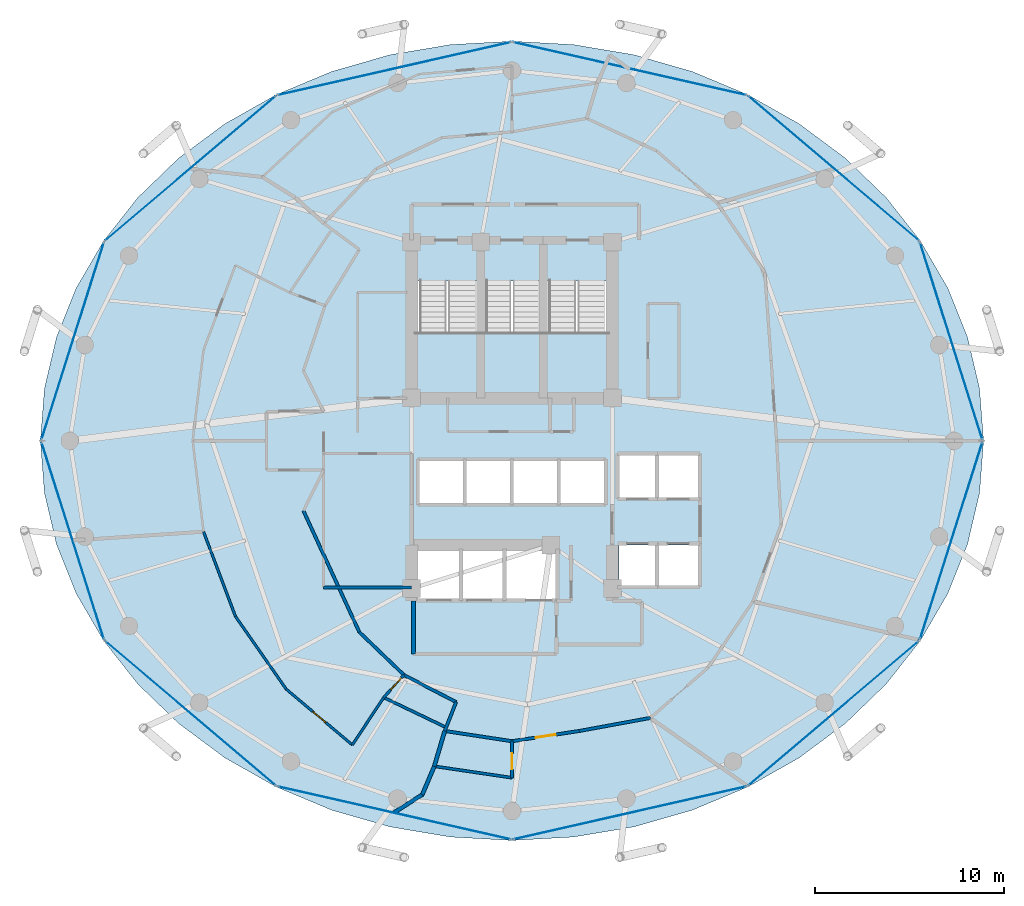
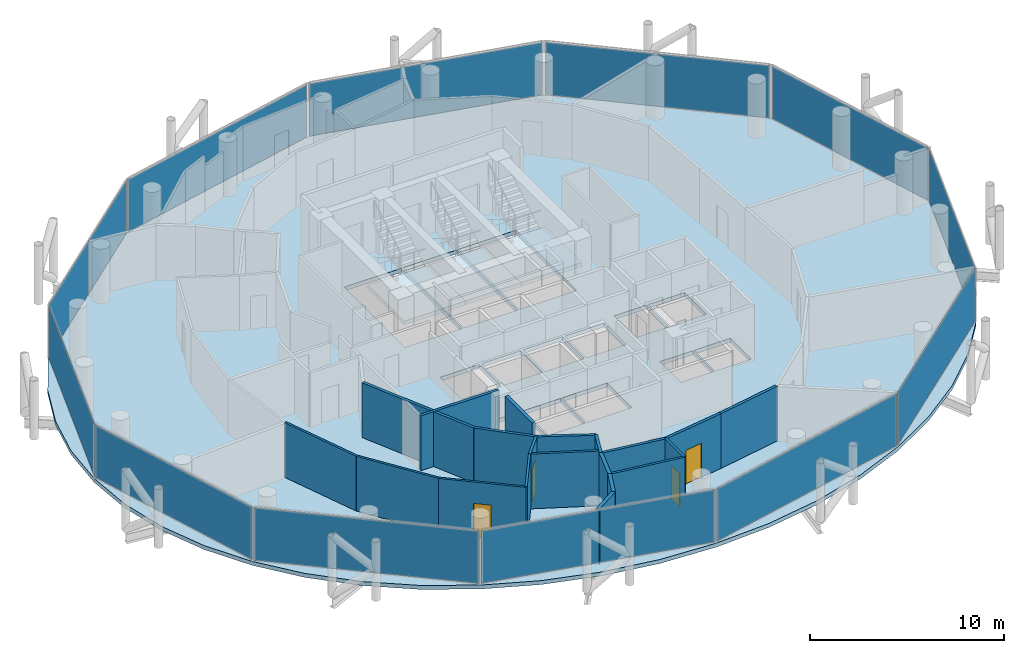
# One storey, part 21 of 27: 20 walls, 12 plates, 4 doors, 4 slabs, 4 openings, 15 elements without a shape of their own.
"""IFC4 building model written with IfcOpenShell, lengths in metres."""

from ifc_helpers import new_model, si_unit, direction, frame, frame_2d, origin, origin_2d, place, context, subcontext, project, spatial, polyline, rectangle, outline, extrude, material, layer, layer_set, type_object, element, fill, aggregate, save


model = new_model("IFC4")

# Units and contexts
model_context = context("Model", 3, precision=1e-05, world=origin(), true_north=direction((0.0, 1.0)))
body_context = subcontext(model_context, "Body", "Model", "MODEL_VIEW")
ifc_project = project(units=[si_unit("LENGTHUNIT", "METRE"), si_unit("AREAUNIT", "SQUARE_METRE"), si_unit("VOLUMEUNIT", "CUBIC_METRE"), si_unit("PLANEANGLEUNIT", "RADIAN"), si_unit("MASSUNIT", "GRAM", prefix="KILO")], contexts=[model_context])

# Site, building, storey
site_placement = place(None, origin())
site = spatial("IfcSite", under=ifc_project, at=site_placement, CompositionType="ELEMENT")
building_placement = place(site_placement, origin())
building = spatial("IfcBuilding", under=site, at=building_placement, Name="Nuhasar Tower", CompositionType="ELEMENT")
storey_placement = place(building_placement, frame((0.0, 0.0, 158.949951171875)))
storey = spatial("IfcBuildingStorey", under=building, at=storey_placement, Name="L38", CompositionType="ELEMENT", Elevation=158.949951171875)

# Curtain wall, plate
ifc_material_1 = material(Name="Aluminium 6063-T6", Category="aluminium")
ifc_layer_1 = layer(ifc_material_1, 0.199951171875)
ifc_layer_set_1 = layer_set([ifc_layer_1], Name="Aluminium 6063-T6")
curtain_wall_type = type_object("IfcCurtainWallType", Name="CW-Z2-HTL", PredefinedType="NOTDEFINED", material=ifc_layer_set_1)
curtain_wall_1_placement = place(storey_placement, origin())
curtain_wall_1 = element("IfcCurtainWall", 1, at=curtain_wall_1_placement, inside=storey, type_object=curtain_wall_type, Name="L38 Unitised Curtain Wall 01", PredefinedType="NOTDEFINED")
ifc_material_2 = material(Name="Glass Double Low-E", Category="glass")
ifc_layer_2 = layer(ifc_material_2, 0.028076171875)
ifc_layer_set_2 = layer_set([ifc_layer_2], Name="Glass Double Low-E")
plate_type = type_object("IfcPlateType", Name="CW-PANEL-GLZ", PredefinedType="CURTAIN_PANEL", material=ifc_layer_set_2)
plate_1_placement = place(storey_placement, frame((62.194580078125, 32.06494140625, 0.070068359375), z_axis=(0.0, 0.0, 1.0), x_axis=(-0.301603667577, 0.953433389233, 0.0)))
plate_1 = element("IfcPlate", 2, at=plate_1_placement, type_object=plate_type, Name="CW-Z2 panel 1.1", PredefinedType="CURTAIN_PANEL", context=body_context, shape_type="SweptSolid", body=[
    extrude(rectangle(XDim=10.904296875, YDim=0.028076171875, at=origin_2d()), origin(), (0.0, 0.0, 1.0), 3.31005859375),
])
aggregate(curtain_wall_1, [plate_1])

curtain_wall_2_placement = place(storey_placement, origin())
curtain_wall_2 = element("IfcCurtainWall", 3, at=curtain_wall_2_placement, inside=storey, type_object=curtain_wall_type, Name="L38 Unitised Curtain Wall 02", PredefinedType="NOTDEFINED")
plate_2_placement = place(storey_placement, frame((55.9794921875, 41.18408203125, 0.070068359375), z_axis=(0.0, 0.0, 1.0), x_axis=(-0.763020370292, 0.646374438324, 0.0)))
plate_2 = element("IfcPlate", 4, at=plate_2_placement, type_object=plate_type, Name="CW-Z2 panel 1.1", PredefinedType="CURTAIN_PANEL", context=body_context, shape_type="SweptSolid", body=[
    extrude(rectangle(XDim=11.784912109375, YDim=0.028076171875, at=origin_2d()), origin(), (0.0, 0.0, 1.0), 3.31005859375),
])
aggregate(curtain_wall_2, [plate_2])

curtain_wall_3_placement = place(storey_placement, origin())
curtain_wall_3 = element("IfcCurtainWall", 5, at=curtain_wall_3_placement, inside=storey, type_object=curtain_wall_type, Name="L38 Unitised Curtain Wall 03", PredefinedType="NOTDEFINED")
plate_3_placement = place(storey_placement, frame((45.215087890625, 46.448974609375, 0.070068359375), z_axis=(0.0, 0.0, 1.0), x_axis=(-0.975183694221, 0.22139729566, 0.0)))
plate_3 = element("IfcPlate", 6, at=plate_3_placement, type_object=plate_type, Name="CW-Z2 panel 1.1", PredefinedType="CURTAIN_PANEL", context=body_context, shape_type="SweptSolid", body=[
    extrude(rectangle(XDim=12.606201171875, YDim=0.028076171875, at=origin_2d()), origin(), (0.0, 0.0, 1.0), 3.31005859375),
])
aggregate(curtain_wall_3, [plate_3])

curtain_wall_4_placement = place(storey_placement, origin())
curtain_wall_4 = element("IfcCurtainWall", 7, at=curtain_wall_4_placement, inside=storey, type_object=curtain_wall_type, Name="L38 Unitised Curtain Wall 04", PredefinedType="NOTDEFINED")
plate_4_placement = place(storey_placement, frame((32.784912109375, 46.448974609375, 0.070068359375), z_axis=(0.0, 0.0, 1.0), x_axis=(-0.975183694221, -0.22139729566, 0.0)))
plate_4 = element("IfcPlate", 8, at=plate_4_placement, type_object=plate_type, Name="CW-Z2 panel 1.1", PredefinedType="CURTAIN_PANEL", context=body_context, shape_type="SweptSolid", body=[
    extrude(rectangle(XDim=12.606201171875, YDim=0.028076171875, at=origin_2d()), origin(), (0.0, 0.0, 1.0), 3.31005859375),
])
aggregate(curtain_wall_4, [plate_4])

curtain_wall_5_placement = place(storey_placement, origin())
curtain_wall_5 = element("IfcCurtainWall", 9, at=curtain_wall_5_placement, inside=storey, type_object=curtain_wall_type, Name="L38 Unitised Curtain Wall 05", PredefinedType="NOTDEFINED")
plate_5_placement = place(storey_placement, frame((22.0205078125, 41.18408203125, 0.070068359375), z_axis=(0.0, 0.0, 1.0), x_axis=(-0.763020370292, -0.646374438324, 0.0)))
plate_5 = element("IfcPlate", 10, at=plate_5_placement, type_object=plate_type, Name="CW-Z2 panel 1.1", PredefinedType="CURTAIN_PANEL", context=body_context, shape_type="SweptSolid", body=[
    extrude(rectangle(XDim=11.784912109375, YDim=0.028076171875, at=origin_2d()), origin(), (0.0, 0.0, 1.0), 3.31005859375),
])
aggregate(curtain_wall_5, [plate_5])

curtain_wall_6_placement = place(storey_placement, origin())
curtain_wall_6 = element("IfcCurtainWall", 11, at=curtain_wall_6_placement, inside=storey, type_object=curtain_wall_type, Name="L38 Unitised Curtain Wall 06", PredefinedType="NOTDEFINED")
plate_6_placement = place(storey_placement, frame((15.805419921875, 32.06494140625, 0.070068359375), z_axis=(0.0, 0.0, 1.0), x_axis=(-0.301603667577, -0.953433389233, 0.0)))
plate_6 = element("IfcPlate", 12, at=plate_6_placement, type_object=plate_type, Name="CW-Z2 panel 1.1", PredefinedType="CURTAIN_PANEL", context=body_context, shape_type="SweptSolid", body=[
    extrude(rectangle(XDim=10.904296875, YDim=0.028076171875, at=origin_2d()), origin(), (0.0, 0.0, 1.0), 3.31005859375),
])
aggregate(curtain_wall_6, [plate_6])

curtain_wall_7_placement = place(storey_placement, origin())
curtain_wall_7 = element("IfcCurtainWall", 13, at=curtain_wall_7_placement, inside=storey, type_object=curtain_wall_type, Name="L38 Unitised Curtain Wall 07", PredefinedType="NOTDEFINED")
plate_7_placement = place(storey_placement, frame((15.805419921875, 21.534912109375, 0.070068359375), z_axis=(0.0, 0.0, 1.0), x_axis=(0.301603667577, -0.953433389233, 0.0)))
plate_7 = element("IfcPlate", 14, at=plate_7_placement, type_object=plate_type, Name="CW-Z2 panel 1.1", PredefinedType="CURTAIN_PANEL", context=body_context, shape_type="SweptSolid", body=[
    extrude(rectangle(XDim=10.904296875, YDim=0.028076171875, at=origin_2d()), origin(), (0.0, 0.0, 1.0), 3.31005859375),
])
aggregate(curtain_wall_7, [plate_7])

curtain_wall_8_placement = place(storey_placement, origin())
curtain_wall_8 = element("IfcCurtainWall", 15, at=curtain_wall_8_placement, inside=storey, type_object=curtain_wall_type, Name="L38 Unitised Curtain Wall 08", PredefinedType="NOTDEFINED")
plate_8_placement = place(storey_placement, frame((22.0205078125, 12.416015625, 0.070068359375), z_axis=(0.0, 0.0, 1.0), x_axis=(0.763020370292, -0.646374438324, 0.0)))
plate_8 = element("IfcPlate", 16, at=plate_8_placement, type_object=plate_type, Name="CW-Z2 panel 1.1", PredefinedType="CURTAIN_PANEL", context=body_context, shape_type="SweptSolid", body=[
    extrude(rectangle(XDim=11.784912109375, YDim=0.028076171875, at=origin_2d()), origin(), (0.0, 0.0, 1.0), 3.31005859375),
])
aggregate(curtain_wall_8, [plate_8])

curtain_wall_9_placement = place(storey_placement, origin())
curtain_wall_9 = element("IfcCurtainWall", 17, at=curtain_wall_9_placement, inside=storey, type_object=curtain_wall_type, Name="L38 Unitised Curtain Wall 09", PredefinedType="NOTDEFINED")
plate_9_placement = place(storey_placement, frame((32.784912109375, 7.15087890625, 0.070068359375), z_axis=(0.0, 0.0, 1.0), x_axis=(0.975183694221, -0.22139729566, 0.0)))
plate_9 = element("IfcPlate", 18, at=plate_9_placement, type_object=plate_type, Name="CW-Z2 panel 1.1", PredefinedType="CURTAIN_PANEL", context=body_context, shape_type="SweptSolid", body=[
    extrude(rectangle(XDim=12.606201171875, YDim=0.028076171875, at=origin_2d()), origin(), (0.0, 0.0, 1.0), 3.31005859375),
])
aggregate(curtain_wall_9, [plate_9])

curtain_wall_10_placement = place(storey_placement, origin())
curtain_wall_10 = element("IfcCurtainWall", 19, at=curtain_wall_10_placement, inside=storey, type_object=curtain_wall_type, Name="L38 Unitised Curtain Wall 10", PredefinedType="NOTDEFINED")
plate_10_placement = place(storey_placement, frame((45.215087890625, 7.15087890625, 0.070068359375), z_axis=(0.0, 0.0, 1.0), x_axis=(0.975183694221, 0.22139729566, 0.0)))
plate_10 = element("IfcPlate", 20, at=plate_10_placement, type_object=plate_type, Name="CW-Z2 panel 1.1", PredefinedType="CURTAIN_PANEL", context=body_context, shape_type="SweptSolid", body=[
    extrude(rectangle(XDim=12.606201171875, YDim=0.028076171875, at=origin_2d()), origin(), (0.0, 0.0, 1.0), 3.31005859375),
])
aggregate(curtain_wall_10, [plate_10])

curtain_wall_11_placement = place(storey_placement, origin())
curtain_wall_11 = element("IfcCurtainWall", 21, at=curtain_wall_11_placement, inside=storey, type_object=curtain_wall_type, Name="L38 Unitised Curtain Wall 11", PredefinedType="NOTDEFINED")
plate_11_placement = place(storey_placement, frame((55.9794921875, 12.416015625, 0.070068359375), z_axis=(0.0, 0.0, 1.0), x_axis=(0.763020370292, 0.646374438324, 0.0)))
plate_11 = element("IfcPlate", 22, at=plate_11_placement, type_object=plate_type, Name="CW-Z2 panel 1.1", PredefinedType="CURTAIN_PANEL", context=body_context, shape_type="SweptSolid", body=[
    extrude(rectangle(XDim=11.784912109375, YDim=0.028076171875, at=origin_2d()), origin(), (0.0, 0.0, 1.0), 3.31005859375),
])
aggregate(curtain_wall_11, [plate_11])

curtain_wall_12_placement = place(storey_placement, origin())
curtain_wall_12 = element("IfcCurtainWall", 23, at=curtain_wall_12_placement, inside=storey, type_object=curtain_wall_type, Name="L38 Unitised Curtain Wall 12", PredefinedType="NOTDEFINED")
plate_12_placement = place(storey_placement, frame((62.194580078125, 21.534912109375, 0.070068359375), z_axis=(0.0, 0.0, 1.0), x_axis=(0.301603667577, 0.953433389233, 0.0)))
plate_12 = element("IfcPlate", 24, at=plate_12_placement, type_object=plate_type, Name="CW-Z2 panel 1.1", PredefinedType="CURTAIN_PANEL", context=body_context, shape_type="SweptSolid", body=[
    extrude(rectangle(XDim=10.904296875, YDim=0.028076171875, at=origin_2d()), origin(), (0.0, 0.0, 1.0), 3.31005859375),
])
aggregate(curtain_wall_12, [plate_12])

# Stair, slab
ifc_material_3 = material(Name="Concrete C45/55", Category="concrete")
stair_type_1 = type_object("IfcStairType", Name="STR-ST-01-2F-22R-1682", PredefinedType="HALF_TURN_STAIR", material=ifc_material_3)
stair_1_placement = place(storey_placement, origin())
stair_1 = element("IfcStair", 25, at=stair_1_placement, inside=storey, type_object=stair_type_1, Name="L38 Exit Stair ST-01", PredefinedType="HALF_TURN_STAIR")
ifc_layer_3 = layer(ifc_material_3, 0.239990234375)
ifc_layer_set_3 = layer_set([ifc_layer_3], Name="Concrete C45/55")
slab_type_1 = type_object("IfcSlabType", Name="SLB-STAIR-LND-240", PredefinedType="LANDING", material=ifc_layer_set_3)
slab_1_placement = place(storey_placement, frame((0.0, 0.0, 1.610107421875)))
slab_1 = element("IfcSlab", 26, at=slab_1_placement, type_object=slab_type_1, Name="ST-01 landing 1", PredefinedType="LANDING", context=body_context, shape_type="SweptSolid", body=[
    extrude(outline(polyline([(33.699951171875, 28.75), (37.35009765625, 28.75), (37.35009765625, 32.52001953125), (33.699951171875, 32.52001953125), (33.699951171875, 28.75)])), origin(), (0.0, 0.0, 1.0), 0.239990234375),
])
aggregate(stair_1, [slab_1])

stair_type_2 = type_object("IfcStairType", Name="STR-ST-03-2F-22R-1682", PredefinedType="HALF_TURN_STAIR", material=ifc_material_3)
stair_2_placement = place(storey_placement, origin())
stair_2 = element("IfcStair", 27, at=stair_2_placement, inside=storey, type_object=stair_type_2, Name="L38 Exit Stair ST-03", PredefinedType="HALF_TURN_STAIR")
slab_2_placement = place(storey_placement, frame((0.0, 0.0, 1.610107421875)))
slab_2 = element("IfcSlab", 28, at=slab_2_placement, type_object=slab_type_1, Name="ST-03 landing 1", PredefinedType="LANDING", context=body_context, shape_type="SweptSolid", body=[
    extrude(outline(polyline([(37.35009765625, 28.75), (40.64990234375, 28.75), (40.64990234375, 32.52001953125), (37.35009765625, 32.52001953125), (37.35009765625, 28.75)])), origin(), (0.0, 0.0, 1.0), 0.239990234375),
])
aggregate(stair_2, [slab_2])

stair_type_3 = type_object("IfcStairType", Name="STR-ST-02-2F-22R-1682", PredefinedType="HALF_TURN_STAIR", material=ifc_material_3)
stair_3_placement = place(storey_placement, origin())
stair_3 = element("IfcStair", 29, at=stair_3_placement, inside=storey, type_object=stair_type_3, Name="L38 Exit Stair ST-02", PredefinedType="HALF_TURN_STAIR")
slab_3_placement = place(storey_placement, frame((0.0, 0.0, 1.610107421875)))
slab_3 = element("IfcSlab", 30, at=slab_3_placement, type_object=slab_type_1, Name="ST-02 landing 1", PredefinedType="LANDING", context=body_context, shape_type="SweptSolid", body=[
    extrude(outline(polyline([(40.64990234375, 28.75), (44.300048828125, 28.75), (44.300048828125, 32.52001953125), (40.64990234375, 32.52001953125), (40.64990234375, 28.75)])), origin(), (0.0, 0.0, 1.0), 0.239990234375),
])
aggregate(stair_3, [slab_3])

# Slab
ifc_layer_4 = layer(ifc_material_3, 0.25)
ifc_layer_set_4 = layer_set([ifc_layer_4], Name="Concrete C45/55")
slab_type_2 = type_object("IfcSlabType", Name="SLB-Z1B-250", PredefinedType="FLOOR", material=ifc_layer_set_4)
slab_4_placement = place(storey_placement, frame((0.0, 0.0, -0.25)))
element("IfcSlab", 31, at=slab_4_placement, inside=storey, type_object=slab_type_2, Name="L38 Structural Slab", PredefinedType="FLOOR", context=body_context, shape_type="SweptSolid", body=[
    extrude(outline(polyline([(63.89990234375, 26.800048828125), (63.68701171875, 29.553955078125), (63.052001953125, 32.260986328125), (62.0048828125, 34.875), (60.56396484375, 37.35009765625), (58.75390625, 39.64501953125), (56.60693359375, 41.719970703125), (54.157958984375, 43.5400390625), (51.449951171875, 45.072998046875), (48.529052734375, 46.2939453125), (45.445068359375, 47.180908203125), (42.25, 47.718994140625), (39.0, 47.89990234375), (35.75, 47.718994140625), (32.554931640625, 47.180908203125), (29.470947265625, 46.2939453125), (26.550048828125, 45.072998046875), (23.842041015625, 43.5400390625), (21.39306640625, 41.719970703125), (19.24609375, 39.64501953125), (17.43603515625, 37.35009765625), (15.9951171875, 34.875), (14.947998046875, 32.260986328125), (14.31298828125, 29.553955078125), (14.10009765625, 26.800048828125), (14.31298828125, 24.0458984375), (14.947998046875, 21.339111328125), (15.9951171875, 18.72509765625), (17.43603515625, 16.25), (19.24609375, 13.955078125), (21.39306640625, 11.8798828125), (23.842041015625, 10.06005859375), (26.550048828125, 8.527099609375), (29.470947265625, 7.305908203125), (32.554931640625, 6.4189453125), (35.75, 5.881103515625), (39.0, 5.699951171875), (42.25, 5.881103515625), (45.445068359375, 6.4189453125), (48.529052734375, 7.305908203125), (51.449951171875, 8.527099609375), (54.157958984375, 10.06005859375), (56.60693359375, 11.8798828125), (58.75390625, 13.955078125), (60.56396484375, 16.25), (62.0048828125, 18.72509765625), (63.052001953125, 21.339111328125), (63.68701171875, 24.0458984375), (63.89990234375, 26.800048828125)]), holes=[polyline([(33.8798828125, 35.25), (37.300048828125, 35.25), (37.300048828125, 29.0), (33.8798828125, 29.0), (33.8798828125, 35.25)]), polyline([(37.39990234375, 35.25), (40.60009765625, 35.25), (40.60009765625, 29.0), (37.39990234375, 29.0), (37.39990234375, 35.25)]), polyline([(40.699951171875, 35.25), (44.1201171875, 35.25), (44.1201171875, 29.0), (40.699951171875, 29.0), (40.699951171875, 35.25)]), polyline([(44.64990234375, 26.050048828125), (46.60009765625, 26.050048828125), (46.60009765625, 23.800048828125), (44.64990234375, 23.800048828125), (44.64990234375, 26.050048828125)]), polyline([(46.699951171875, 26.050048828125), (48.85009765625, 26.050048828125), (48.85009765625, 23.800048828125), (46.699951171875, 23.800048828125), (46.699951171875, 26.050048828125)]), polyline([(44.64990234375, 21.300048828125), (46.60009765625, 21.300048828125), (46.60009765625, 19.14990234375), (44.64990234375, 19.14990234375), (44.64990234375, 21.300048828125)]), polyline([(46.699951171875, 21.300048828125), (48.85009765625, 21.300048828125), (48.85009765625, 19.14990234375), (46.699951171875, 19.14990234375), (46.699951171875, 21.300048828125)]), polyline([(34.10009765625, 25.75), (36.43994140625, 25.75), (36.43994140625, 23.5), (34.10009765625, 23.5), (34.10009765625, 25.75)]), polyline([(36.580078125, 25.75), (38.919921875, 25.75), (38.919921875, 23.5), (36.580078125, 23.5), (36.580078125, 25.75)]), polyline([(39.06005859375, 25.75), (41.39990234375, 25.75), (41.39990234375, 23.5), (39.06005859375, 23.5), (39.06005859375, 25.75)]), polyline([(41.5400390625, 25.75), (43.8798828125, 25.75), (43.8798828125, 23.5), (41.5400390625, 23.5), (41.5400390625, 25.75)]), polyline([(34.050048828125, 21.0), (36.25, 21.0), (36.25, 18.449951171875), (34.050048828125, 18.449951171875), (34.050048828125, 21.0)]), polyline([(36.35009765625, 21.0), (38.550048828125, 21.0), (38.550048828125, 18.449951171875), (36.35009765625, 18.449951171875), (36.35009765625, 21.0)]), polyline([(38.64990234375, 21.0), (41.320068359375, 21.0), (41.320068359375, 18.449951171875), (38.64990234375, 18.449951171875), (38.64990234375, 21.0)])]), origin(), (0.0, 0.0, 1.0), 0.25),
])

# Walls
ifc_material_4 = material(Name="Gypsum Board", Category="gypsum")
ifc_layer_5 = layer(ifc_material_4, 0.159912109375)
ifc_layer_set_5 = layer_set([ifc_layer_5], Name="Gypsum Board")
wall_type_1 = type_object("IfcWallType", Name="WL-CORR-160", PredefinedType="PARTITIONING", material=ifc_layer_set_5)
wall_1_placement = place(storey_placement, frame((29.050048828125, 19.050048828125, 0.0), z_axis=(0.0, 0.0, 1.0), x_axis=(1.0, 0.0, 0.0)))
element("IfcWall", 32, at=wall_1_placement, inside=storey, type_object=wall_type_1, Name="L38 Interior Partition RECL-B1-S", PredefinedType="PARTITIONING", context=body_context, shape_type="SweptSolid", body=[
    extrude(rectangle(XDim=4.64990234375, YDim=0.159912109375, at=frame_2d((2.324951171875, 0.0))), origin(), (0.0, 0.0, 1.0), 3.449951171875),
])
wall_2_placement = place(storey_placement, frame((35.448974609375, 11.47998046875, 0.0), z_axis=(0.0, 0.0, 1.0), x_axis=(0.988632678439, -0.150351013043, 0.0)))
element("IfcWall", 33, at=wall_2_placement, inside=storey, type_object=wall_type_1, Name="L38 Interior Partition CORR-34", PredefinedType="PARTITIONING", context=body_context, shape_type="SweptSolid", body=[
    extrude(rectangle(XDim=3.591796875, YDim=0.159912109375, at=frame_2d((1.7958984375, 0.0))), origin(), (0.0, 0.0, 1.0), 3.449951171875),
])

# Wall, opening, door
wall_3_placement = place(storey_placement, frame((42.551025390625, 11.47998046875, 0.0), z_axis=(0.0, 0.0, 1.0), x_axis=(-0.988632678439, -0.150351013043, 0.0)))
wall_3 = element("IfcWall", 34, at=wall_3_placement, inside=storey, type_object=wall_type_1, Name="L38 Interior Partition CORR-36", PredefinedType="PARTITIONING", context=body_context, shape_type="SweptSolid", body=[
    extrude(rectangle(XDim=3.591796875, YDim=0.159912109375, at=frame_2d((1.7958984375, 0.0))), origin(), (0.0, 0.0, 1.0), 3.449951171875),
])
opening_1_placement = place(wall_3_placement, frame((1.27099609375, 0.0, 0.0)))
opening_1 = element("IfcOpeningElement", 35, at=opening_1_placement, cuts=wall_3, Name="Opening DU-01", PredefinedType="OPENING", context=body_context, shape_type="SweptSolid", body=[
    extrude(rectangle(XDim=1.050048828125, YDim=2.14990234375, at=frame_2d((0.52490234375, 1.074951171875))), frame((0.0, 0.08984375, 0.0), z_axis=(0.0, -1.0, 0.0), x_axis=(1.0, 0.0, 0.0)), (0.0, 0.0, 1.0), 0.179931640625),
])
ifc_material_5 = material(Name="Timber Oak", Category="wood")
door_type_1 = type_object("IfcDoorType", Name="DR-SUITE-FD60-1050", OperationType="NOTDEFINED", PredefinedType="DOOR", material=ifc_material_5)
door_1_placement = place(opening_1_placement, origin())
door_1 = element("IfcDoor", 36, at=door_1_placement, inside=storey, type_object=door_type_1, Name="L38 Thermal Sanctuary Suite 01 Entrance Door", OperationType="SINGLE_SWING_LEFT", OverallHeight=2.14990234375, OverallWidth=1.050048828125, PredefinedType="DOOR", context=body_context, shape_type="SweptSolid", body=[
    extrude(rectangle(XDim=1.050048828125, YDim=2.14990234375, at=frame_2d((0.52490234375, 1.074951171875))), frame((0.0, 0.02490234375, 0.0), z_axis=(0.0, -1.0, 0.0), x_axis=(1.0, 0.0, 0.0)), (0.0, 0.0, 1.0), 0.050048828125),
])
fill(opening_1, door_1)

# Walls
wall_4_placement = place(storey_placement, frame((42.551025390625, 11.47998046875, 0.0), z_axis=(0.0, 0.0, 1.0), x_axis=(0.983542993076, 0.180674239368, 0.0)))
element("IfcWall", 37, at=wall_4_placement, inside=storey, type_object=wall_type_1, Name="L38 Interior Partition CORR-38", PredefinedType="PARTITIONING", context=body_context, shape_type="SweptSolid", body=[
    extrude(rectangle(XDim=3.818603515625, YDim=0.159912109375, at=frame_2d((1.9091796875, 0.0))), origin(), (0.0, 0.0, 1.0), 3.449951171875),
])
wall_5_placement = place(storey_placement, frame((36.049072265625, 13.007080078125, 0.0), z_axis=(0.0, 0.0, 1.0), x_axis=(-0.365739839664, -0.930717126566, 0.0)))
element("IfcWall", 38, at=wall_5_placement, inside=storey, type_object=wall_type_1, Name="L38 Interior Partition HRAD-34-IN", PredefinedType="PARTITIONING", context=body_context, shape_type="SweptSolid", body=[
    extrude(rectangle(XDim=1.640869140625, YDim=0.159912109375, at=frame_2d((0.8203125, 0.0))), origin(), (0.0, 0.0, 1.0), 3.449951171875),
])
wall_6_placement = place(storey_placement, frame((27.988037109375, 23.10400390625, 0.0), z_axis=(0.0, 0.0, 1.0), x_axis=(0.418656179426, -0.908144814128, 0.0)))
element("IfcWall", 39, at=wall_6_placement, inside=storey, type_object=wall_type_1, Name="L38 Interior Partition HWEST-CORE-S1-26", PredefinedType="PARTITIONING", context=body_context, shape_type="SweptSolid", body=[
    extrude(rectangle(XDim=7.048583984375, YDim=0.159912109375, at=frame_2d((3.5244140625, 0.0))), origin(), (0.0, 0.0, 1.0), 3.449951171875),
])
wall_7_placement = place(storey_placement, frame((30.93896484375, 16.702880859375, 0.0), z_axis=(0.0, 0.0, 1.0), x_axis=(0.72090897908, -0.693029756851, 0.0)))
element("IfcWall", 40, at=wall_7_placement, inside=storey, type_object=wall_type_1, Name="L38 Interior Partition HWEST-CORE-S2-30", PredefinedType="PARTITIONING", context=body_context, shape_type="SweptSolid", body=[
    extrude(rectangle(XDim=3.275146484375, YDim=0.159912109375, at=frame_2d((1.6376953125, 0.0))), origin(), (0.0, 0.0, 1.0), 3.449951171875),
])
wall_8_placement = place(storey_placement, frame((33.300048828125, 14.43310546875, 0.0), z_axis=(0.0, 0.0, 1.0), x_axis=(0.887674575788, -0.460471331898, 0.0)))
element("IfcWall", 41, at=wall_8_placement, inside=storey, type_object=wall_type_1, Name="L38 Interior Partition HWEST-CORE-S2-32", PredefinedType="PARTITIONING", context=body_context, shape_type="SweptSolid", body=[
    extrude(rectangle(XDim=3.096923828125, YDim=0.159912109375, at=frame_2d((1.54833984375, 0.0))), origin(), (0.0, 0.0, 1.0), 3.449951171875),
])
ifc_layer_6 = layer(ifc_material_3, 0.199951171875)
ifc_layer_set_6 = layer_set([ifc_layer_6], Name="Concrete C45/55")
wall_type_2 = type_object("IfcWallType", Name="WL-LOBBY-200", PredefinedType="SOLIDWALL", material=ifc_layer_set_6)
wall_9_placement = place(storey_placement, frame((33.800048828125, 15.550048828125, 0.0), z_axis=(0.0, 0.0, 1.0), x_axis=(0.0, 1.0, 0.0)))
element("IfcWall", 42, at=wall_9_placement, inside=storey, type_object=wall_type_2, Name="L38 Interior Partition FFL-W", PredefinedType="SOLIDWALL", context=body_context, shape_type="SweptSolid", body=[
    extrude(rectangle(XDim=2.800048828125, YDim=0.199951171875, at=frame_2d((1.39990234375, 0.0))), origin(), (0.0, 0.0, 1.0), 3.449951171875),
])
ifc_layer_7 = layer(ifc_material_4, 0.125)
ifc_layer_set_7 = layer_set([ifc_layer_7], Name="Gypsum Board")
wall_type_3 = type_object("IfcWallType", Name="WL-PART-125", PredefinedType="PARTITIONING", material=ifc_layer_set_7)
wall_10_placement = place(storey_placement, frame((32.22509765625, 13.2470703125, 0.0), z_axis=(0.0, 0.0, 1.0), x_axis=(-0.551523216301, -0.834159542223, 0.0)))
element("IfcWall", 43, at=wall_10_placement, inside=storey, type_object=wall_type_3, Name="L38 Interior Partition HWS2-N", PredefinedType="PARTITIONING", context=body_context, shape_type="SweptSolid", body=[
    extrude(rectangle(XDim=3.000732421875, YDim=0.125, at=frame_2d((1.50048828125, 0.0))), origin(), (0.0, 0.0, 1.0), 3.449951171875),
])
wall_11_placement = place(storey_placement, frame((22.714111328125, 22.0009765625, 0.0), z_axis=(0.0, 0.0, 1.0), x_axis=(0.352629336954, -0.935763084717, 0.0)))
element("IfcWall", 44, at=wall_11_placement, inside=storey, type_object=wall_type_3, Name="L38 Interior Partition HWS2-ARC-26", PredefinedType="PARTITIONING", context=body_context, shape_type="SweptSolid", body=[
    extrude(rectangle(XDim=4.77783203125, YDim=0.125, at=frame_2d((2.388916015625, 0.0))), origin(), (0.0, 0.0, 1.0), 3.449951171875),
])
wall_12_placement = place(storey_placement, frame((24.39892578125, 17.530029296875, 0.0), z_axis=(0.0, 0.0, 1.0), x_axis=(0.572156311814, -0.820144593868, 0.0)))
element("IfcWall", 45, at=wall_12_placement, inside=storey, type_object=wall_type_3, Name="L38 Interior Partition HWS2-ARC-28", PredefinedType="PARTITIONING", context=body_context, shape_type="SweptSolid", body=[
    extrude(rectangle(XDim=4.68212890625, YDim=0.125, at=frame_2d((2.341064453125, 0.0))), origin(), (0.0, 0.0, 1.0), 3.449951171875),
])

# Wall, opening, door
wall_13_placement = place(storey_placement, frame((27.077880859375, 13.68994140625, 0.0), z_axis=(0.0, 0.0, 1.0), x_axis=(0.764344154591, -0.64480850905, 0.0)))
wall_13 = element("IfcWall", 46, at=wall_13_placement, inside=storey, type_object=wall_type_3, Name="L38 Interior Partition HWS2-ARC-30", PredefinedType="PARTITIONING", context=body_context, shape_type="SweptSolid", body=[
    extrude(rectangle(XDim=4.56884765625, YDim=0.125, at=frame_2d((2.284423828125, 0.0))), origin(), (0.0, 0.0, 1.0), 3.449951171875),
])
opening_2_placement = place(wall_13_placement, frame((1.833984375, 0.0, 0.0)))
opening_2 = element("IfcOpeningElement", 47, at=opening_2_placement, cuts=wall_13, Name="Opening DR-01", PredefinedType="OPENING", context=body_context, shape_type="SweptSolid", body=[
    extrude(rectangle(XDim=0.89990234375, YDim=2.10009765625, at=frame_2d((0.449951171875, 1.050048828125))), frame((0.0, 0.072509765625, 0.0), z_axis=(0.0, -1.0, 0.0), x_axis=(1.0, 0.0, 0.0)), (0.0, 0.0, 1.0), 0.14501953125),
])
door_type_2 = type_object("IfcDoorType", Name="DR-ROOM-900", OperationType="NOTDEFINED", PredefinedType="DOOR", material=ifc_material_5)
door_2_placement = place(opening_2_placement, origin())
door_2 = element("IfcDoor", 48, at=door_2_placement, inside=storey, type_object=door_type_2, Name="L38 South-West Presidential Suite Bedroom Door", OperationType="SINGLE_SWING_RIGHT", OverallHeight=2.10009765625, OverallWidth=0.89990234375, PredefinedType="DOOR", context=body_context, shape_type="SweptSolid", body=[
    extrude(rectangle(XDim=0.89990234375, YDim=2.10009765625, at=frame_2d((0.449951171875, 1.050048828125))), frame((0.0, 0.02490234375, 0.0), z_axis=(0.0, -1.0, 0.0), x_axis=(1.0, 0.0, 0.0)), (0.0, 0.0, 1.0), 0.050048828125),
])
fill(opening_2, door_2)

# Walls
ifc_material_6 = material(Name="Concrete C40/50 precast", Category="concrete")
ifc_layer_8 = layer(ifc_material_6, 0.199951171875)
ifc_layer_set_8 = layer_set([ifc_layer_8], Name="Concrete C40/50 precast")
wall_type_4 = type_object("IfcWallType", Name="WL-UNIT-200", PredefinedType="PARTITIONING", material=ifc_layer_set_8)
wall_14_placement = place(storey_placement, frame((35.448974609375, 11.47998046875, 0.0), z_axis=(0.0, 0.0, 1.0), x_axis=(-0.283485285535, -0.958976586203, 0.0)))
element("IfcWall", 49, at=wall_14_placement, inside=storey, type_object=wall_type_4, Name="L38 Interior Partition HRAD-34-OUT-S1", PredefinedType="PARTITIONING", context=body_context, shape_type="SweptSolid", body=[
    extrude(rectangle(XDim=1.94384765625, YDim=0.199951171875, at=frame_2d((0.971923828125, 0.0))), origin(), (0.0, 0.0, 1.0), 3.449951171875),
])
wall_15_placement = place(storey_placement, frame((34.89794921875, 9.615966796875, 0.0), z_axis=(0.0, 0.0, 1.0), x_axis=(-0.389982878965, -0.920822107746, 0.0)))
element("IfcWall", 50, at=wall_15_placement, inside=storey, type_object=wall_type_4, Name="L38 Interior Partition HRAD-34-OUT-S2", PredefinedType="PARTITIONING", context=body_context, shape_type="SweptSolid", body=[
    extrude(rectangle(XDim=1.625732421875, YDim=0.199951171875, at=frame_2d((0.81298828125, 0.0))), origin(), (0.0, 0.0, 1.0), 3.449951171875),
])
wall_16_placement = place(storey_placement, frame((34.263916015625, 8.118896484375, 0.0), z_axis=(0.0, 0.0, 1.0), x_axis=(-0.843823030376, -0.536621555109, 0.0)))
element("IfcWall", 51, at=wall_16_placement, inside=storey, type_object=wall_type_4, Name="L38 Interior Partition HRAD-34-OUT-S3", PredefinedType="PARTITIONING", context=body_context, shape_type="SweptSolid", body=[
    extrude(rectangle(XDim=1.741943359375, YDim=0.199951171875, at=frame_2d((0.87109375, 0.0))), origin(), (0.0, 0.0, 1.0), 3.449951171875),
])

# Wall, opening, door
ifc_layer_9 = layer(ifc_material_6, 0.139892578125)
ifc_layer_set_9 = layer_set([ifc_layer_9], Name="Concrete C40/50 precast")
wall_type_5 = type_object("IfcWallType", Name="WL-WET-140", PredefinedType="PARTITIONING", material=ifc_layer_set_9)
wall_17_placement = place(storey_placement, frame((39.0, 10.93994140625, 0.0), z_axis=(0.0, 0.0, 1.0), x_axis=(0.0, -1.0, 0.0)))
wall_17 = element("IfcWall", 52, at=wall_17_placement, inside=storey, type_object=wall_type_5, Name="L38 Interior Partition HBW-01", PredefinedType="PARTITIONING", context=body_context, shape_type="SweptSolid", body=[
    extrude(rectangle(XDim=1.929931640625, YDim=0.139892578125, at=frame_2d((0.96484375, 0.0))), origin(), (0.0, 0.0, 1.0), 3.449951171875),
])
opening_3_placement = place(wall_17_placement, frame((0.635986328125, 0.0, 0.0)))
opening_3 = element("IfcOpeningElement", 53, at=opening_3_placement, cuts=wall_17, Name="Opening DB-01", PredefinedType="OPENING", context=body_context, shape_type="SweptSolid", body=[
    extrude(rectangle(XDim=0.85009765625, YDim=2.10009765625, at=frame_2d((0.425048828125, 1.050048828125))), frame((0.0, 0.080078125, 0.0), z_axis=(0.0, -1.0, 0.0), x_axis=(1.0, 0.0, 0.0)), (0.0, 0.0, 1.0), 0.159912109375),
])
door_type_3 = type_object("IfcDoorType", Name="DR-BATH-850", OperationType="NOTDEFINED", PredefinedType="DOOR", material=ifc_material_5)
door_3_placement = place(opening_3_placement, origin())
door_3 = element("IfcDoor", 54, at=door_3_placement, inside=storey, type_object=door_type_3, Name="L38 Thermal Sanctuary Suite 01 En-Suite Door", OperationType="SINGLE_SWING_RIGHT", OverallHeight=2.10009765625, OverallWidth=0.85009765625, PredefinedType="DOOR", context=body_context, shape_type="SweptSolid", body=[
    extrude(rectangle(XDim=0.85009765625, YDim=2.10009765625, at=frame_2d((0.425048828125, 1.050048828125))), frame((0.0, 0.02490234375, 0.0), z_axis=(0.0, -1.0, 0.0), x_axis=(1.0, 0.0, 0.0)), (0.0, 0.0, 1.0), 0.050048828125),
])
fill(opening_3, door_3)

# Wall
wall_18_placement = place(storey_placement, frame((34.89794921875, 9.615966796875, 0.0), z_axis=(0.0, 0.0, 1.0), x_axis=(0.989264703479, -0.146134685992, 0.0)))
element("IfcWall", 55, at=wall_18_placement, inside=storey, type_object=wall_type_5, Name="L38 Interior Partition HBF-01-34", PredefinedType="PARTITIONING", context=body_context, shape_type="SweptSolid", body=[
    extrude(rectangle(XDim=4.146484375, YDim=0.139892578125, at=frame_2d((2.0732421875, 0.0))), origin(), (0.0, 0.0, 1.0), 3.449951171875),
])

# Wall, opening, door
wall_19_placement = place(storey_placement, frame((33.300048828125, 14.43310546875, 0.0), z_axis=(0.0, 0.0, 1.0), x_axis=(-0.671556062003, -0.740953747266, 0.0)))
wall_19 = element("IfcWall", 56, at=wall_19_placement, inside=storey, type_object=wall_type_5, Name="L38 Interior Partition HBW2-N", PredefinedType="PARTITIONING", context=body_context, shape_type="SweptSolid", body=[
    extrude(rectangle(XDim=1.6005859375, YDim=0.139892578125, at=frame_2d((0.80029296875, 0.0))), origin(), (0.0, 0.0, 1.0), 3.449951171875),
])
opening_4_placement = place(wall_19_placement, frame((0.199951171875, 0.0, 0.0)))
opening_4 = element("IfcOpeningElement", 57, at=opening_4_placement, cuts=wall_19, Name="Opening DB-01", PredefinedType="OPENING", context=body_context, shape_type="SweptSolid", body=[
    extrude(rectangle(XDim=0.85009765625, YDim=2.10009765625, at=frame_2d((0.425048828125, 1.050048828125))), frame((0.0, 0.080078125, 0.0), z_axis=(0.0, -1.0, 0.0), x_axis=(1.0, 0.0, 0.0)), (0.0, 0.0, 1.0), 0.159912109375),
])
door_4_placement = place(opening_4_placement, origin())
door_4 = element("IfcDoor", 58, at=door_4_placement, inside=storey, type_object=door_type_3, Name="L38 South-West Presidential Suite En-Suite Door", OperationType="SINGLE_SWING_LEFT", OverallHeight=2.10009765625, OverallWidth=0.85009765625, PredefinedType="DOOR", context=body_context, shape_type="SweptSolid", body=[
    extrude(rectangle(XDim=0.85009765625, YDim=2.10009765625, at=frame_2d((0.425048828125, 1.050048828125))), frame((0.0, 0.02490234375, 0.0), z_axis=(0.0, -1.0, 0.0), x_axis=(1.0, 0.0, 0.0)), (0.0, 0.0, 1.0), 0.050048828125),
])
fill(opening_4, door_4)

# Wall
wall_20_placement = place(storey_placement, frame((32.22509765625, 13.2470703125, 0.0), z_axis=(0.0, 0.0, 1.0), x_axis=(0.902016722043, -0.431701092372, 0.0)))
element("IfcWall", 59, at=wall_20_placement, inside=storey, type_object=wall_type_5, Name="L38 Interior Partition HBW2-E", PredefinedType="PARTITIONING", context=body_context, shape_type="SweptSolid", body=[
    extrude(rectangle(XDim=3.622802734375, YDim=0.139892578125, at=frame_2d((1.8115234375, 0.0))), origin(), (0.0, 0.0, 1.0), 3.449951171875),
])

save(model, "model.ifc")
